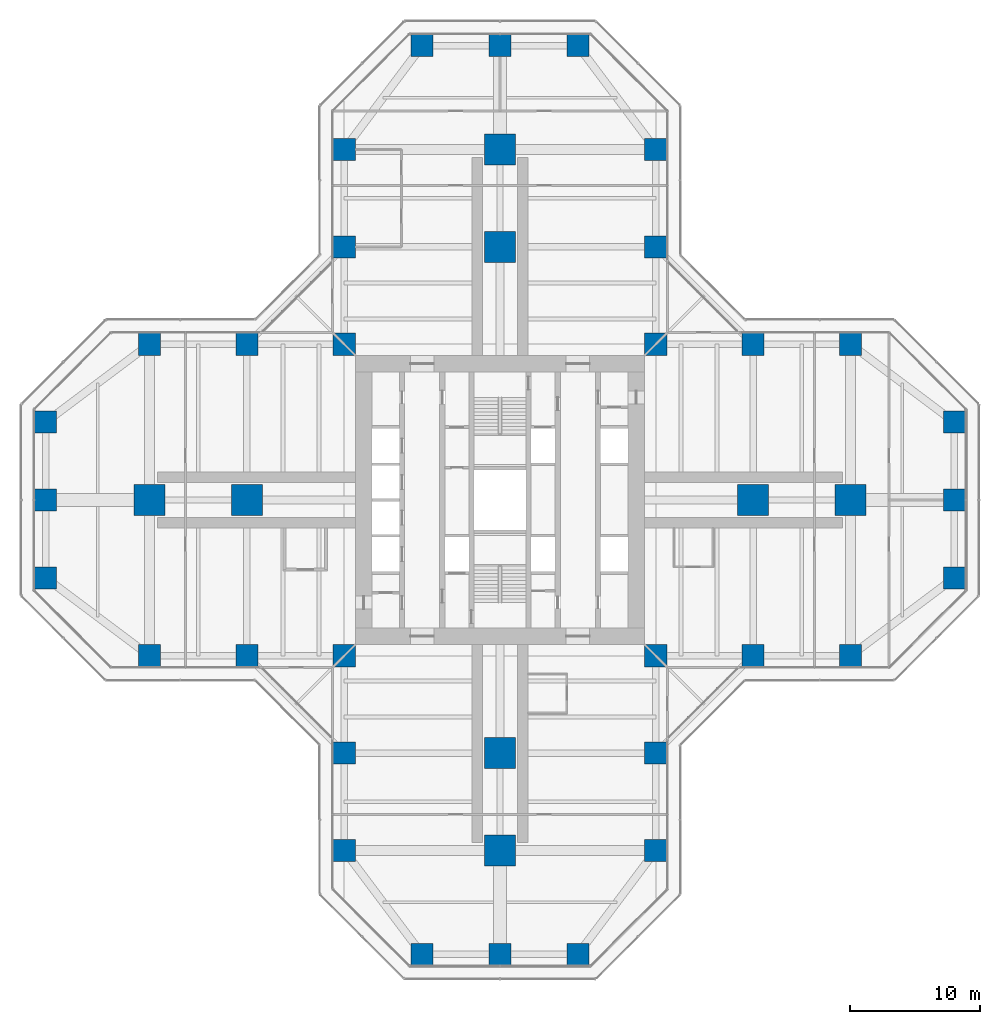
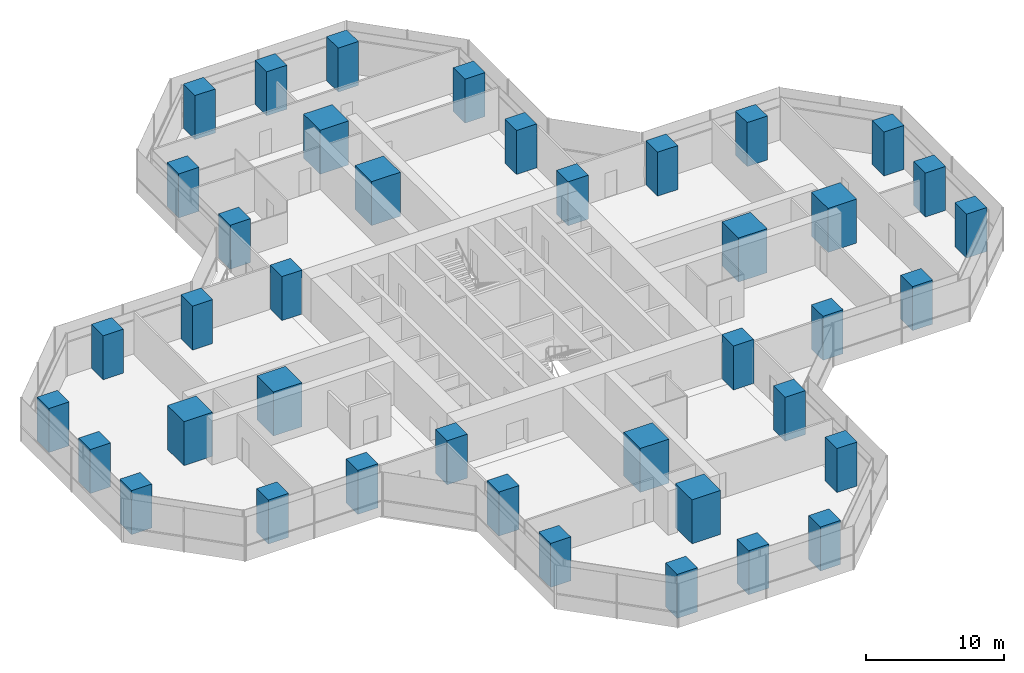
# One storey, part 1 of 22: 40 columns.
"""IFC4 building model written with IfcOpenShell, lengths in metres."""

from ifc_helpers import new_model, si_unit, direction, frame, origin, origin_2d, place, context, subcontext, project, spatial, rectangle, extrude, material, material_profile, profile_set, type_object, element, save


model = new_model("IFC4")

# Units and contexts
model_context = context("Model", 3, precision=1e-05, world=origin(), true_north=direction((0.0, 1.0)))
body_context = subcontext(model_context, "Body", "Model", "MODEL_VIEW")
ifc_project = project(units=[si_unit("LENGTHUNIT", "METRE"), si_unit("AREAUNIT", "SQUARE_METRE"), si_unit("VOLUMEUNIT", "CUBIC_METRE"), si_unit("PLANEANGLEUNIT", "RADIAN"), si_unit("MASSUNIT", "GRAM", prefix="KILO")], contexts=[model_context])

# Site, building, storey
site_placement = place(None, origin())
site = spatial("IfcSite", under=ifc_project, at=site_placement, CompositionType="ELEMENT")
building_placement = place(site_placement, origin())
building = spatial("IfcBuilding", under=site, at=building_placement, Name="Mizan Broadcast Tower", CompositionType="ELEMENT")
storey_placement = place(building_placement, frame((0.0, 0.0, 102.0)))
storey = spatial("IfcBuildingStorey", under=building, at=storey_placement, Name="L22", CompositionType="ELEMENT", Elevation=102.0)

# Columns
ifc_material_1 = material(Name="Concrete C70/85", Category="concrete")
ifc_material_profile_1 = material_profile(ifc_material_1, rectangle(XDim=1.699951171875, YDim=1.699951171875, at=origin_2d()), Name="RC 1700x1700")
ifc_profile_set_1 = profile_set([ifc_material_profile_1], Name="Concrete C70/85")
column_type_1 = type_object("IfcColumnType", Name="RC COLUMN 1700x1700 C70/85", PredefinedType="COLUMN", material=ifc_profile_set_1)
for number, where, z_axis, x_axis, name in (
    (1, (-6.0, -35.0, 0.0), (0.0, 0.0, 1.0), (1.0, 0.0, 0.0), "Column 5/A L22"),
    (2, (0.0, -35.0, 0.0), (0.0, 0.0, 1.0), (1.0, 0.0, 0.0), "Column 6/A L22"),
    (3, (6.0, -35.0, 0.0), (0.0, 0.0, 1.0), (1.0, 0.0, 0.0), "Column 7/A L22"),
    (4, (-12.0, -27.0, 0.0), (0.0, 0.0, 1.0), (1.0, 0.0, 0.0), "Column 4/B L22"),
    (5, (12.0, -27.0, 0.0), (0.0, 0.0, 1.0), (1.0, 0.0, 0.0), "Column 8/B L22"),
    (6, (-12.0, -19.5, 0.0), (0.0, 0.0, 1.0), (1.0, 0.0, 0.0), "Column 4/C L22"),
    (7, (12.0, -19.5, 0.0), (0.0, 0.0, 1.0), (1.0, 0.0, 0.0), "Column 8/C L22"),
    (8, (-27.0, -12.0, 0.0), (0.0, 0.0, 1.0), (1.0, 0.0, 0.0), "Column 2/D L22"),
    (9, (-19.5, -12.0, 0.0), (0.0, 0.0, 1.0), (1.0, 0.0, 0.0), "Column 3/D L22"),
    (10, (-12.0, -12.0, 0.0), (0.0, 0.0, 1.0), (1.0, 0.0, 0.0), "Column 4/D L22"),
    (11, (12.0, -12.0, 0.0), (0.0, 0.0, 1.0), (1.0, 0.0, 0.0), "Column 8/D L22"),
    (12, (19.5, -12.0, 0.0), (0.0, 0.0, 1.0), (1.0, 0.0, 0.0), "Column 9/D L22"),
    (13, (27.0, -12.0, 0.0), (0.0, 0.0, 1.0), (1.0, 0.0, 0.0), "Column 10/D L22"),
    (14, (-35.0, -6.0, 0.0), (0.0, 0.0, 1.0), (1.0, 0.0, 0.0), "Column 1/E L22"),
    (15, (35.0, -6.0, 0.0), (0.0, 0.0, 1.0), (1.0, 0.0, 0.0), "Column 11/E L22"),
    (16, (-35.0, 0.0, 0.0), (0.0, 0.0, 1.0), (1.0, 0.0, 0.0), "Column 1/F L22"),
    (17, (35.0, 0.0, 0.0), (0.0, 0.0, 1.0), (1.0, 0.0, 0.0), "Column 11/F L22"),
    (18, (-35.0, 6.0, 0.0), (0.0, 0.0, 1.0), (1.0, 0.0, 0.0), "Column 1/G L22"),
    (19, (35.0, 6.0, 0.0), (0.0, 0.0, 1.0), (1.0, 0.0, 0.0), "Column 11/G L22"),
    (20, (-27.0, 12.0, 0.0), (0.0, 0.0, 1.0), (1.0, 0.0, 0.0), "Column 2/H L22"),
    (21, (-19.5, 12.0, 0.0), (0.0, 0.0, 1.0), (1.0, 0.0, 0.0), "Column 3/H L22"),
    (22, (-12.0, 12.0, 0.0), (0.0, 0.0, 1.0), (1.0, 0.0, 0.0), "Column 4/H L22"),
    (23, (12.0, 12.0, 0.0), (0.0, 0.0, 1.0), (1.0, 0.0, 0.0), "Column 8/H L22"),
    (24, (19.5, 12.0, 0.0), (0.0, 0.0, 1.0), (1.0, 0.0, 0.0), "Column 9/H L22"),
    (25, (27.0, 12.0, 0.0), (0.0, 0.0, 1.0), (1.0, 0.0, 0.0), "Column 10/H L22"),
    (26, (-12.0, 19.5, 0.0), (0.0, 0.0, 1.0), (1.0, 0.0, 0.0), "Column 4/J L22"),
    (27, (12.0, 19.5, 0.0), (0.0, 0.0, 1.0), (1.0, 0.0, 0.0), "Column 8/J L22"),
    (28, (-12.0, 27.0, 0.0), (0.0, 0.0, 1.0), (1.0, 0.0, 0.0), "Column 4/K L22"),
    (29, (12.0, 27.0, 0.0), (0.0, 0.0, 1.0), (1.0, 0.0, 0.0), "Column 8/K L22"),
    (30, (-6.0, 35.0, 0.0), (0.0, 0.0, 1.0), (1.0, 0.0, 0.0), "Column 5/L L22"),
    (31, (0.0, 35.0, 0.0), (0.0, 0.0, 1.0), (1.0, 0.0, 0.0), "Column 6/L L22"),
    (32, (6.0, 35.0, 0.0), (0.0, 0.0, 1.0), (1.0, 0.0, 0.0), "Column 7/L L22"),
):
    element("IfcColumn", number, at=place(storey_placement, frame(where, z_axis=z_axis, x_axis=x_axis)), inside=storey, type_object=column_type_1, Name=name, PredefinedType="COLUMN", context=body_context, shape_type="SweptSolid", body=[
        extrude(rectangle(XDim=1.699951171875, YDim=1.699951171875, at=origin_2d()), origin(), (0.0, 0.0, 1.0), 3.89990234375),
    ])
ifc_material_2 = material(Name="Concrete C70/85", Category="concrete")
ifc_material_profile_2 = material_profile(ifc_material_2, rectangle(XDim=2.39990234375, YDim=2.39990234375, at=origin_2d()), Name="RC 2400x2400")
ifc_profile_set_2 = profile_set([ifc_material_profile_2], Name="Concrete C70/85")
column_type_2 = type_object("IfcColumnType", Name="RC COLUMN 2400x2400 C70/85", PredefinedType="COLUMN", material=ifc_profile_set_2)
for number, where, z_axis, x_axis, name in (
    (33, (0.0, -27.0, 0.0), (0.0, 0.0, 1.0), (1.0, 0.0, 0.0), "Column 6/B L22"),
    (34, (0.0, -19.5, 0.0), (0.0, 0.0, 1.0), (1.0, 0.0, 0.0), "Column 6/C L22"),
    (35, (-27.0, 0.0, 0.0), (0.0, 0.0, 1.0), (1.0, 0.0, 0.0), "Column 2/F L22"),
    (36, (-19.5, 0.0, 0.0), (0.0, 0.0, 1.0), (1.0, 0.0, 0.0), "Column 3/F L22"),
    (37, (19.5, 0.0, 0.0), (0.0, 0.0, 1.0), (1.0, 0.0, 0.0), "Column 9/F L22"),
    (38, (27.0, 0.0, 0.0), (0.0, 0.0, 1.0), (1.0, 0.0, 0.0), "Column 10/F L22"),
    (39, (0.0, 19.5, 0.0), (0.0, 0.0, 1.0), (1.0, 0.0, 0.0), "Column 6/J L22"),
    (40, (0.0, 27.0, 0.0), (0.0, 0.0, 1.0), (1.0, 0.0, 0.0), "Column 6/K L22"),
):
    element("IfcColumn", number, at=place(storey_placement, frame(where, z_axis=z_axis, x_axis=x_axis)), inside=storey, type_object=column_type_2, Name=name, PredefinedType="COLUMN", context=body_context, shape_type="SweptSolid", body=[
        extrude(rectangle(XDim=2.39990234375, YDim=2.39990234375, at=origin_2d()), origin(), (0.0, 0.0, 1.0), 3.89990234375),
    ])

save(model, "model.ifc")
